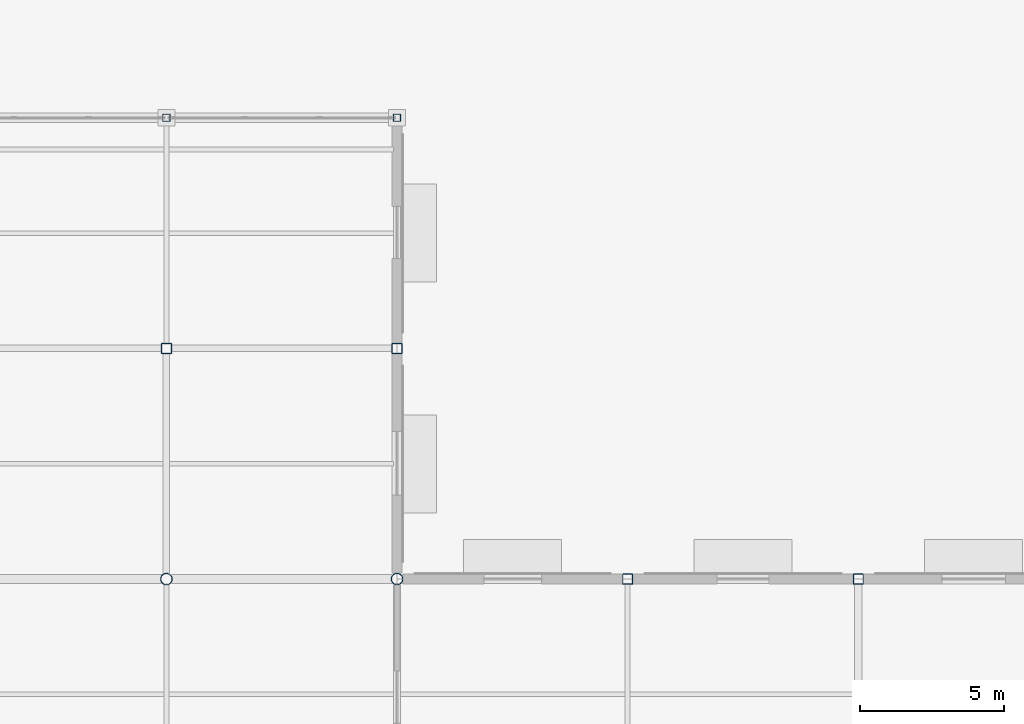
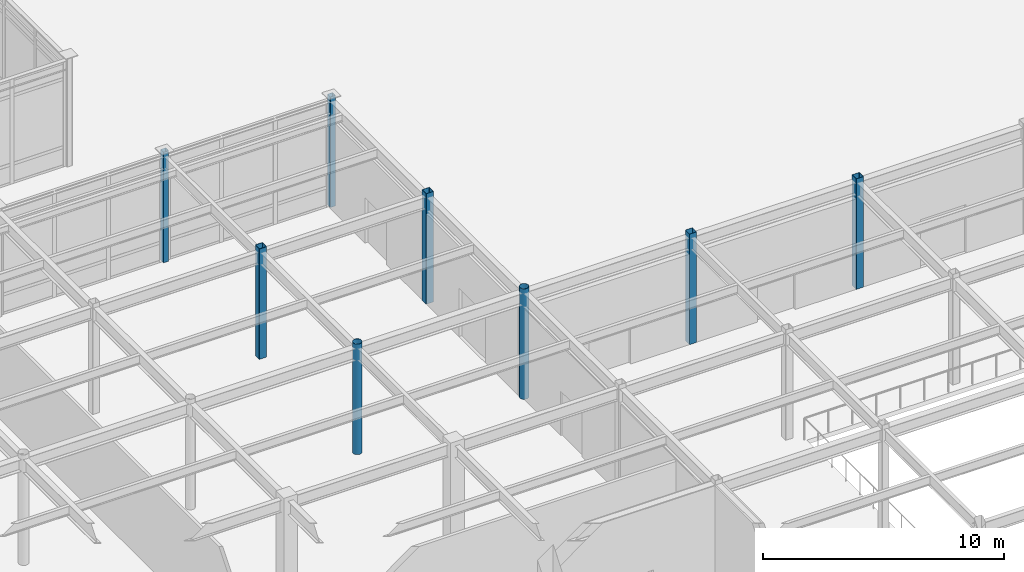
# One storey, part 25 of 128: 8 columns.
"""IFC4 building model written with IfcOpenShell, lengths in metres."""

from ifc_helpers import new_model, si_unit, direction, frame, origin, origin_2d, place, context, subcontext, project, spatial, hollow_rectangle, hollow_circle, extrude, material, material_profile, profile_set, type_object, element, save


model = new_model("IFC4")

# Units and contexts
model_context = context("Model", 3, precision=1e-05, world=origin(), true_north=direction((0.0, 1.0)))
body_context = subcontext(model_context, "Body", "Model", "MODEL_VIEW")
ifc_project = project(units=[si_unit("LENGTHUNIT", "METRE"), si_unit("AREAUNIT", "SQUARE_METRE"), si_unit("VOLUMEUNIT", "CUBIC_METRE"), si_unit("PLANEANGLEUNIT", "RADIAN"), si_unit("MASSUNIT", "GRAM", prefix="KILO")], contexts=[model_context])

# Site, building, storey
site_placement = place(None, origin())
site = spatial("IfcSite", under=ifc_project, at=site_placement, CompositionType="ELEMENT")
building_placement = place(site_placement, origin())
building = spatial("IfcBuilding", under=site, at=building_placement, Name="Solmirada Galleria", CompositionType="ELEMENT")
storey_placement = place(building_placement, origin())
storey = spatial("IfcBuildingStorey", under=building, at=storey_placement, Name="L00", CompositionType="ELEMENT", Elevation=0.0)

# Columns
ifc_material = material(Name="Steel S355 / ASTM A500 Grade C", Category="steel")
ifc_material_profile_1 = material_profile(ifc_material, hollow_circle(Radius=0.202880859375, WallThickness=0.01171875, at=origin_2d()), Name="HSS16.000X0.500")
ifc_profile_set_1 = profile_set([ifc_material_profile_1], Name="Steel S355 / ASTM A500 Grade C")
column_type_1 = type_object("IfcColumnType", Name="COL-CHS16", PredefinedType="COLUMN", material=ifc_profile_set_1)
for number, where, z_axis, x_axis, name in (
    (1, (136.0, 32.0, 0.0), (0.0, 0.0, 1.0), (1.0, 0.0, 0.0), "Structural column L00-1136"),
    (2, (144.0, 32.0, 0.0), (0.0, 0.0, 1.0), (1.0, 0.0, 0.0), "Structural column L00-1226"),
):
    element("IfcColumn", number, at=place(storey_placement, frame(where, z_axis=z_axis, x_axis=x_axis)), inside=storey, type_object=column_type_1, Name=name, PredefinedType="COLUMN", context=body_context, shape_type="SweptSolid", body=[
        extrude(hollow_circle(Radius=0.202880859375, WallThickness=0.01171875, at=origin_2d()), origin(), (0.0, 0.0, 1.0), 5.60009765625),
    ])
ifc_material_profile_2 = material_profile(ifc_material, hollow_rectangle(XDim=0.25390625, YDim=0.25390625, WallThickness=0.0087890625, InnerFilletRadius=0.0087890625, OuterFilletRadius=0.017822265625, at=origin_2d()), Name="HSS10X10X3/8")
ifc_profile_set_2 = profile_set([ifc_material_profile_2], Name="Steel S355 / ASTM A500 Grade C")
column_type_2 = type_object("IfcColumnType", Name="COL-HSS10", PredefinedType="COLUMN", material=ifc_profile_set_2)
for number, where, z_axis, x_axis, name in (
    (3, (136.0, 48.0, 0.0), (0.0, 0.0, 1.0), (1.0, 0.0, 0.0), "Structural column L00-1147"),
    (4, (144.0, 48.0, 0.0), (0.0, 0.0, 1.0), (1.0, 0.0, 0.0), "Structural column L00-1237"),
):
    element("IfcColumn", number, at=place(storey_placement, frame(where, z_axis=z_axis, x_axis=x_axis)), inside=storey, type_object=column_type_2, Name=name, PredefinedType="COLUMN", context=body_context, shape_type="SweptSolid", body=[
        extrude(hollow_rectangle(XDim=0.25390625, YDim=0.25390625, WallThickness=0.0087890625, InnerFilletRadius=0.0087890625, OuterFilletRadius=0.017822265625, at=origin_2d()), origin(), (0.0, 0.0, 1.0), 5.60009765625),
    ])
ifc_material_profile_3 = material_profile(ifc_material, hollow_rectangle(XDim=0.35595703125, YDim=0.35595703125, WallThickness=0.01171875, InnerFilletRadius=0.01171875, OuterFilletRadius=0.023681640625, at=origin_2d()), Name="HSS14X14X1/2")
ifc_profile_set_3 = profile_set([ifc_material_profile_3], Name="Steel S355 / ASTM A500 Grade C")
column_type_3 = type_object("IfcColumnType", Name="COL-HSS14", PredefinedType="COLUMN", material=ifc_profile_set_3)
for number, where, z_axis, x_axis, name in (
    (5, (136.0, 40.0, 0.0), (0.0, 0.0, 1.0), (1.0, 0.0, 0.0), "Structural column L00-1143"),
    (6, (144.0, 40.0, 0.0), (0.0, 0.0, 1.0), (1.0, 0.0, 0.0), "Structural column L00-1233"),
    (7, (152.0, 32.0, 0.0), (0.0, 0.0, 1.0), (1.0, 0.0, 0.0), "Structural column L00-1308"),
    (8, (160.0, 32.0, 0.0), (0.0, 0.0, 1.0), (1.0, 0.0, 0.0), "Structural column L00-1381"),
):
    element("IfcColumn", number, at=place(storey_placement, frame(where, z_axis=z_axis, x_axis=x_axis)), inside=storey, type_object=column_type_3, Name=name, PredefinedType="COLUMN", context=body_context, shape_type="SweptSolid", body=[
        extrude(hollow_rectangle(XDim=0.35595703125, YDim=0.35595703125, WallThickness=0.01171875, InnerFilletRadius=0.01171875, OuterFilletRadius=0.023681640625, at=origin_2d()), origin(), (0.0, 0.0, 1.0), 5.60009765625),
    ])

save(model, "model.ifc")
